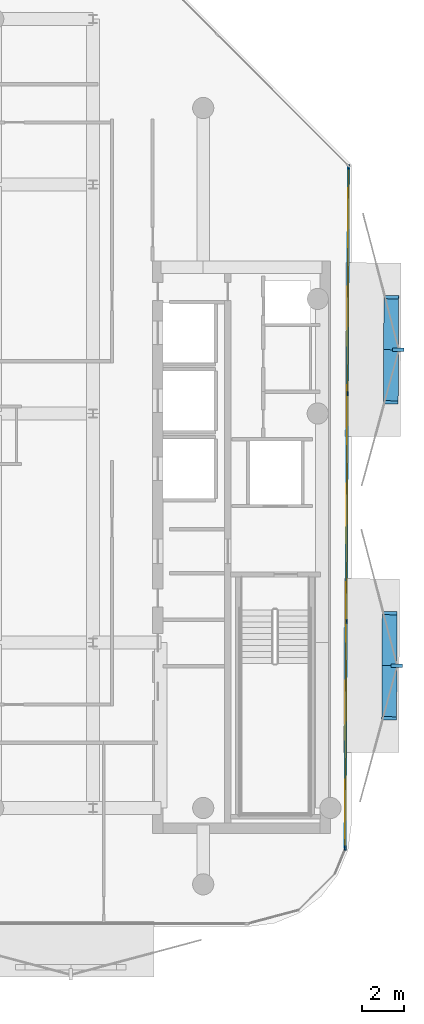
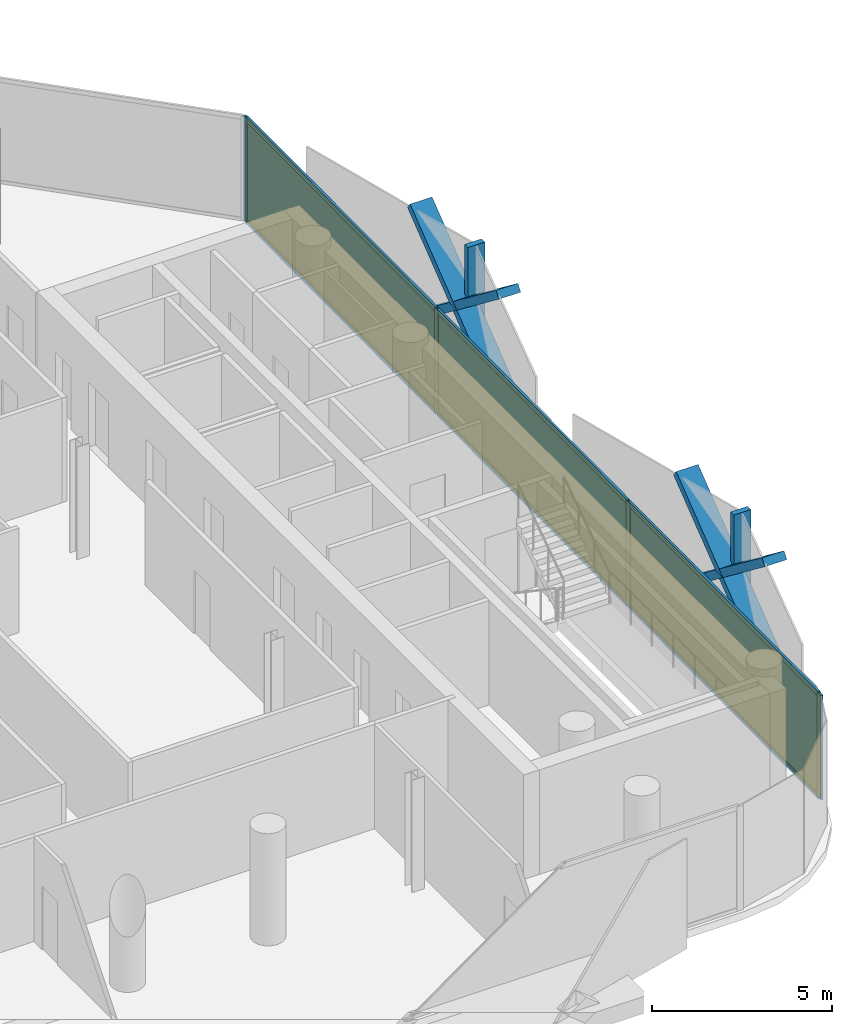
# One storey, part 11 of 16: 16 members, 3 plates, 1 curtain wall.
"""IFC4 building model written with IfcOpenShell, lengths in metres."""

import ifcopenshell
import ifcopenshell.guid

model = None  # the IFC model being written
_history = None  # IfcOwnerHistory: only IFC2X3 demands one
_inside = {}  # id of a spatial element -> (the spatial element, [elements in it])
_under = {}  # id of a project, library or spatial element -> (it, [spatial elements below it])
_declared = {}  # id of a project -> (the project, [libraries it declares])
_typed = {}  # id of a type object -> (the type object, [elements of that type])
_made_of = {}  # id of a material, layer set ... -> (it, [elements and type objects made of it])


def new_model(schema):
    """Start an empty IFC model of exactly this schema.

    Asked for "IFC4X3", IfcOpenShell would pick the latest addendum, in which some entities
    have other attributes; the version numbers below select the first issue.
    IFC2X3 requires an IfcOwnerHistory on every rooted entity: one is made here for all.
    """
    global model, _history
    if schema == "IFC4X3":
        model = ifcopenshell.file(schema_version=(4, 3, 0, 0))
    else:
        model = ifcopenshell.file(schema=schema)
    _inside.clear()
    _under.clear()
    _declared.clear()
    _typed.clear()
    _made_of.clear()
    _history = None
    if model.schema == "IFC2X3":
        org = make("IfcOrganization", Name="unknown")
        user = make(
            "IfcPersonAndOrganization",
            ThePerson=make("IfcPerson", FamilyName="unknown"),
            TheOrganization=org,
        )
        app = make(
            "IfcApplication",
            ApplicationDeveloper=org,
            Version="unknown",
            ApplicationFullName="unknown",
            ApplicationIdentifier="unknown",
        )
        _history = make(
            "IfcOwnerHistory",
            OwningUser=user,
            OwningApplication=app,
            ChangeAction="ADDED",
            CreationDate=0,
        )
    return model


def make(cls, **values):
    """One entity of the class cls with the attributes given. An attribute that is None is left unset."""
    return model.create_entity(
        cls, **{name: value for name, value in values.items() if value is not None}
    )


def rooted(cls, **values):
    """An entity with a GlobalId (a new one), such as an element, a storey or a relation."""
    return make(cls, GlobalId=ifcopenshell.guid.new(), OwnerHistory=_history, **values)


def si_unit(unit_type, name, prefix=None):
    """IfcSIUnit, for example si_unit("LENGTHUNIT", "METRE", prefix="MILLI")."""
    return make("IfcSIUnit", UnitType=unit_type, Prefix=prefix, Name=name)


def assignment(units):
    """IfcUnitAssignment: the units of a project."""
    return None if units is None else make("IfcUnitAssignment", Units=units)


def point(xyz):
    """IfcCartesianPoint."""
    return None if xyz is None else make("IfcCartesianPoint", Coordinates=xyz)


def direction(xyz):
    """IfcDirection."""
    return None if xyz is None else make("IfcDirection", DirectionRatios=xyz)


def frame(location, z_axis=None, x_axis=None):
    """IfcAxis2Placement3D, a coordinate frame: its origin and axes. An axis left out is left unset."""
    return make(
        "IfcAxis2Placement3D",
        Location=point(location),
        Axis=direction(z_axis),
        RefDirection=direction(x_axis),
    )


def frame_2d(location, x_axis=None):
    """IfcAxis2Placement2D, a coordinate frame in the plane: its origin and x axis."""
    return make(
        "IfcAxis2Placement2D", Location=point(location), RefDirection=direction(x_axis)
    )


def origin():
    """The frame at (0, 0, 0) with its axes left unset."""
    return frame((0.0, 0.0, 0.0))


def origin_2d():
    """The frame at (0, 0) in the plane with its x axis left unset."""
    return frame_2d((0.0, 0.0))


def place(relative_to, where):
    """IfcLocalPlacement: puts the frame where relative to a parent placement (None: the world)."""
    return make(
        "IfcLocalPlacement", PlacementRelTo=relative_to, RelativePlacement=where
    )


def context(
    kind, dimensions, precision=None, world=None, true_north=None, identifier=None
):
    """IfcGeometricRepresentationContext, for example the 3D "Model" context."""
    return make(
        "IfcGeometricRepresentationContext",
        ContextIdentifier=identifier,
        ContextType=kind,
        CoordinateSpaceDimension=dimensions,
        Precision=precision,
        WorldCoordinateSystem=world,
        TrueNorth=true_north,
    )


def subcontext(parent, identifier, kind, view, scale=None):
    """IfcGeometricRepresentationSubContext, for example "Body" below "Model"."""
    return make(
        "IfcGeometricRepresentationSubContext",
        ContextIdentifier=identifier,
        ContextType=kind,
        ParentContext=parent,
        TargetScale=scale,
        TargetView=view,
    )


def project(units=None, contexts=None):
    """IfcProject with its units and contexts."""
    return rooted(
        "IfcProject",
        Name="project",
        RepresentationContexts=contexts,
        UnitsInContext=assignment(units),
    )


def spatial(cls, under=None, at=None, **own):
    """A site, building, storey or space (cls), placed at a placement, below another one or the project."""
    s = rooted(cls, ObjectPlacement=at, **own)
    if under is not None:
        _under.setdefault(under.id(), (under, []))[1].append(s)
    return s


def profile(cls, at=None, kind="AREA", **sizes):
    """A parametric profile (cls). Its sizes go by their IFC names, for example OverallWidth=200.0."""
    return make(cls, ProfileType=kind, Position=at, **sizes)


def rectangle(**sizes):
    """IfcRectangleProfileDef."""
    return profile("IfcRectangleProfileDef", **sizes)


def extrude(swept, where, along, depth):
    """IfcExtrudedAreaSolid: the profile swept, set in the frame where, extruded along a direction by depth."""
    return make(
        "IfcExtrudedAreaSolid",
        SweptArea=swept,
        Position=where,
        ExtrudedDirection=direction(along),
        Depth=depth,
    )


def shape(context_of_items, identifier, shape_type, items):
    """IfcShapeRepresentation: the items that make up one representation, for example the "Body"."""
    return make(
        "IfcShapeRepresentation",
        ContextOfItems=context_of_items,
        RepresentationIdentifier=identifier,
        RepresentationType=shape_type,
        Items=items,
    )


def material(Name=None, Category=None):
    """IfcMaterial."""
    return make("IfcMaterial", Name=Name, Category=Category)


def layer(
    of_material, thickness, ventilated=None, Name=None, Category=None, Priority=None
):
    """IfcMaterialLayer: one layer of a wall or slab, of a material (None: an air gap)."""
    return make(
        "IfcMaterialLayer",
        Material=of_material,
        LayerThickness=thickness,
        IsVentilated=ventilated,
        Name=Name,
        Category=Category,
        Priority=Priority,
    )


def layer_set(layers, Name=None):
    """IfcMaterialLayerSet."""
    return make("IfcMaterialLayerSet", MaterialLayers=layers, LayerSetName=Name)


def material_profile(
    of_material, cross_section, Name=None, Category=None, Priority=None
):
    """IfcMaterialProfile: a cross section and its material."""
    return make(
        "IfcMaterialProfile",
        Name=Name,
        Material=of_material,
        Profile=cross_section,
        Priority=Priority,
        Category=Category,
    )


def profile_set(profiles, Name=None, composite=None):
    """IfcMaterialProfileSet."""
    return make(
        "IfcMaterialProfileSet",
        Name=Name,
        MaterialProfiles=profiles,
        CompositeProfile=composite,
    )


def made_of(thing, what):
    """Note that an element or type object is made of a material, layer set ...; save() writes the relation."""
    if what is not None:
        _made_of.setdefault(what.id(), (what, []))[1].append(thing)
    return thing


def type_object(cls, material=None, **own):
    """A type object (cls), such as IfcWallType, which elements share."""
    return made_of(rooted(cls, **own), material)


def element(
    cls,
    number,
    at=None,
    inside=None,
    cuts=None,
    type_object=None,
    material=None,
    context=None,
    identifier="Body",
    shape_type=None,
    held_by="IfcProductDefinitionShape",
    body=None,
    shapes=None,
    **own,
):
    """One element of the class cls, such as IfcWall. Its Tag is "e" and its number.

    at: its placement. inside: the storey or other place that contains it. cuts: it is an
    opening in that element (IfcRelVoidsElement). A single representation is given by context,
    identifier, shape_type and body (its items); several are given by shapes. held_by: the class
    of the entity that holds the representations. save() writes the other relations.
    """
    e = rooted(cls, Tag="e%d" % number, ObjectPlacement=at, **own)
    if body is not None:
        shapes = [shape(context, identifier, shape_type, body)]
    if shapes is not None:
        e.Representation = make(held_by, Representations=shapes)
    if inside is not None:
        _inside.setdefault(inside.id(), (inside, []))[1].append(e)
    if cuts is not None:
        rooted(
            "IfcRelVoidsElement", RelatingBuildingElement=cuts, RelatedOpeningElement=e
        )
    if type_object is not None:
        _typed.setdefault(type_object.id(), (type_object, []))[1].append(e)
    return made_of(e, material)


def aggregate(whole, parts):
    """IfcRelAggregates: a whole, such as a stair, and the parts it consists of."""
    return rooted("IfcRelAggregates", RelatingObject=whole, RelatedObjects=parts)


def save(model, path):
    """Write the relations noted so far, then the file.

    IfcRelAggregates (storeys below a building ...), IfcRelContainedInSpatialStructure (elements
    in a storey), IfcRelDefinesByType, IfcRelAssociatesMaterial and IfcRelDeclares: one each for
    every whole, place, type object, material and project.
    """
    for whole, parts in _under.values():
        aggregate(whole, parts)
    for where, things in _inside.values():
        rooted(
            "IfcRelContainedInSpatialStructure",
            RelatedElements=things,
            RelatingStructure=where,
        )
    for kind, things in _typed.values():
        rooted("IfcRelDefinesByType", RelatedObjects=things, RelatingType=kind)
    for what, things in _made_of.values():
        rooted("IfcRelAssociatesMaterial", RelatedObjects=things, RelatingMaterial=what)
    for by, libraries in _declared.values():
        rooted("IfcRelDeclares", RelatingContext=by, RelatedDefinitions=libraries)
    model.write(path)


model = new_model("IFC4")

# Units and contexts
model_context = context("Model", 3, precision=1e-05, world=origin(), true_north=direction((0.0, 1.0)))
body_context = subcontext(model_context, "Body", "Model", "MODEL_VIEW")
ifc_project = project(units=[si_unit("LENGTHUNIT", "METRE"), si_unit("AREAUNIT", "SQUARE_METRE"), si_unit("VOLUMEUNIT", "CUBIC_METRE"), si_unit("PLANEANGLEUNIT", "RADIAN"), si_unit("MASSUNIT", "GRAM", prefix="KILO")], contexts=[model_context])

# Member
ifc_material_1 = material(Name="Anodised Bronze Aluminium 6063-T6", Category="aluminium")
ifc_material_profile_1 = material_profile(ifc_material_1, rectangle(XDim=0.260009765625, YDim=0.699951171875, at=origin_2d()))
ifc_profile_set_1 = profile_set([ifc_material_profile_1], Name="Anodised Bronze Aluminium 6063-T6")
member_type_1 = type_object("IfcMemberType", Name="Bronze Diamond Solar-Screen Lattice Rib BDL-700", PredefinedType="MULLION", material=ifc_profile_set_1)
site_placement = place(None, origin())
building_placement = place(site_placement, origin())
storey_placement = place(building_placement, frame((0.0, 0.0, 292.800048828125)))
member_1_placement = place(storey_placement, frame((23.268798828125, 5.486083984375, -0.130126953125), z_axis=(-0.004060657205, -0.794131796984, 0.607732013376), x_axis=(-0.008168820396, -0.607690403755, -0.79413200638)))
member_1 = element("IfcMember", 1, at=member_1_placement, type_object=member_type_1, Name="L70 Bronze Diamond Solar Screen Lattice Rib 492A", PredefinedType="MULLION", context=body_context, shape_type="SweptSolid", body=[
    extrude(rectangle(XDim=0.260009765625, YDim=0.699951171875, at=origin_2d()), origin(), (0.0, 0.0, 1.0), 6.2529296875),
])

member_2_placement = place(storey_placement, frame((23.243408203125, 0.5205078125, -0.130126953125), z_axis=(0.004060657205, 0.794131796984, 0.607732013376), x_axis=(0.008168820396, 0.607690403755, -0.79413200638)))
member_2 = element("IfcMember", 2, at=member_2_placement, type_object=member_type_1, Name="L70 Bronze Diamond Solar Screen Lattice Rib 492B", PredefinedType="MULLION", context=body_context, shape_type="SweptSolid", body=[
    extrude(rectangle(XDim=0.260009765625, YDim=0.699951171875, at=origin_2d()), origin(), (0.0, 0.0, 1.0), 6.2529296875),
])

member_3_placement = place(storey_placement, frame((23.193115234375, -9.410888671875, -0.130126953125), z_axis=(-0.004021613058, -0.794131922286, 0.607732109267), x_axis=(-0.008138943559, -0.607690900533, -0.794131932998)))
member_3 = element("IfcMember", 3, at=member_3_placement, type_object=member_type_1, Name="L70 Bronze Diamond Solar Screen Lattice Rib 493A", PredefinedType="MULLION", context=body_context, shape_type="SweptSolid", body=[
    extrude(rectangle(XDim=0.260009765625, YDim=0.699951171875, at=origin_2d()), origin(), (0.0, 0.0, 1.0), 6.2529296875),
])

member_4_placement = place(storey_placement, frame((23.16796875, -14.37646484375, -0.130126953125), z_axis=(0.004021613058, 0.794131922286, 0.607732109267), x_axis=(0.008138943559, 0.607690900533, -0.794131932998)))
member_4 = element("IfcMember", 4, at=member_4_placement, type_object=member_type_1, Name="L70 Bronze Diamond Solar Screen Lattice Rib 493B", PredefinedType="MULLION", context=body_context, shape_type="SweptSolid", body=[
    extrude(rectangle(XDim=0.260009765625, YDim=0.699951171875, at=origin_2d()), origin(), (0.0, 0.0, 1.0), 6.2529296875),
])

ifc_material_2 = material(Name="Anodised Bronze Aluminium 6063-T6", Category="aluminium")
ifc_material_profile_2 = material_profile(ifc_material_2, rectangle(XDim=0.179931640625, YDim=0.5400390625, at=origin_2d()))
ifc_profile_set_2 = profile_set([ifc_material_profile_2], Name="Anodised Bronze Aluminium 6063-T6")
member_type_2 = type_object("IfcMemberType", Name="Bronze Solar-Screen Vertical Fold Fin BSF-540", PredefinedType="MULLION", material=ifc_profile_set_2)
member_5_placement = place(storey_placement, frame((23.59619140625, 3.00146484375, -0.130126953125), z_axis=(0.0, 0.0, 1.0), x_axis=(-0.00506143322, -0.999987190865, 0.0)))
member_5 = element("IfcMember", 5, at=member_5_placement, type_object=member_type_2, Name="L70 Bronze Solar Screen Vertical Fin 492", PredefinedType="MULLION", context=body_context, shape_type="SweptSolid", body=[
    extrude(rectangle(XDim=0.179931640625, YDim=0.5400390625, at=origin_2d()), origin(), (0.0, 0.0, 1.0), 3.800048828125),
])

member_6_placement = place(storey_placement, frame((23.5205078125, -11.8955078125, -0.130126953125), z_axis=(0.0, 0.0, 1.0), x_axis=(-0.00506143322, -0.999987190865, 0.0)))
member_6 = element("IfcMember", 6, at=member_6_placement, type_object=member_type_2, Name="L70 Bronze Solar Screen Vertical Fin 493", PredefinedType="MULLION", context=body_context, shape_type="SweptSolid", body=[
    extrude(rectangle(XDim=0.179931640625, YDim=0.5400390625, at=origin_2d()), origin(), (0.0, 0.0, 1.0), 3.800048828125),
])

ifc_material_3 = material(Name="Anodised Bronze Aluminium 6063-T6", Category="aluminium")
ifc_material_profile_3 = material_profile(ifc_material_3, rectangle(XDim=0.074951171875, YDim=0.2099609375, at=origin_2d()))
ifc_profile_set_3 = profile_set([ifc_material_profile_3], Name="Anodised Bronze Aluminium 6063-T6")
member_type_3 = type_object("IfcMemberType", Name="CW-CRN Mullion 75x210", PredefinedType="MULLION", material=ifc_profile_set_3)
member_7_placement = place(storey_placement, frame((21.259765625, 11.62451171875, 0.0), z_axis=(0.0, 0.0, 1.0), x_axis=(0.999987119761, -0.005075461822, 0.0)))
member_7 = element("IfcMember", 7, at=member_7_placement, type_object=member_type_3, Name="CW-CRN mullion 1", PredefinedType="MULLION", context=body_context, shape_type="SweptSolid", body=[
    extrude(rectangle(XDim=0.074951171875, YDim=0.2099609375, at=origin_2d()), origin(), (0.0, 0.0, 1.0), 3.5400390625),
])

member_8_placement = place(storey_placement, frame((21.20556640625, 0.9306640625, 0.0), z_axis=(0.0, 0.0, 1.0), x_axis=(0.999987119761, -0.005075461822, 0.0)))
member_8 = element("IfcMember", 8, at=member_8_placement, type_object=member_type_3, Name="CW-CRN mullion 2", PredefinedType="MULLION", context=body_context, shape_type="SweptSolid", body=[
    extrude(rectangle(XDim=0.074951171875, YDim=0.2099609375, at=origin_2d()), origin(), (0.0, 0.0, 1.0), 3.5400390625),
])

member_9_placement = place(storey_placement, frame((21.151123046875, -9.800537109375, 0.0), z_axis=(0.0, 0.0, 1.0), x_axis=(0.999987119761, -0.005075461822, 0.0)))
member_9 = element("IfcMember", 9, at=member_9_placement, type_object=member_type_3, Name="CW-CRN mullion 3", PredefinedType="MULLION", context=body_context, shape_type="SweptSolid", body=[
    extrude(rectangle(XDim=0.074951171875, YDim=0.2099609375, at=origin_2d()), origin(), (0.0, 0.0, 1.0), 3.5400390625),
])

member_10_placement = place(storey_placement, frame((21.0966796875, -20.494140625, 0.0), z_axis=(0.0, 0.0, 1.0), x_axis=(0.999987119761, -0.005075461822, 0.0)))
member_10 = element("IfcMember", 10, at=member_10_placement, type_object=member_type_3, Name="CW-CRN mullion 4", PredefinedType="MULLION", context=body_context, shape_type="SweptSolid", body=[
    extrude(rectangle(XDim=0.074951171875, YDim=0.2099609375, at=origin_2d()), origin(), (0.0, 0.0, 1.0), 3.5400390625),
])

ifc_material_4 = material(Name="Anodised Bronze Aluminium 6063-T6", Category="aluminium")
ifc_material_profile_4 = material_profile(ifc_material_4, rectangle(XDim=0.074951171875, YDim=0.1650390625, at=origin_2d()))
ifc_profile_set_4 = profile_set([ifc_material_profile_4], Name="Anodised Bronze Aluminium 6063-T6")
member_type_4 = type_object("IfcMemberType", Name="CW-CRN Transom 75x165", PredefinedType="USERDEFINED", material=ifc_profile_set_4)
member_11_placement = place(storey_placement, frame((21.259521484375, 11.5869140625, 0.037353515625), z_axis=(-0.005058104237, -0.999987207709, 0.0), x_axis=(0.999987207709, -0.005058104237, 0.0)))
member_11 = element("IfcMember", 11, at=member_11_placement, type_object=member_type_4, Name="CW-CRN transom 1.1", ObjectType="TRANSOM", PredefinedType="USERDEFINED", context=body_context, shape_type="SweptSolid", body=[
    extrude(rectangle(XDim=0.074951171875, YDim=0.1650390625, at=origin_2d()), origin(), (0.0, 0.0, 1.0), 10.618896484375),
])

member_12_placement = place(storey_placement, frame((21.259521484375, 11.5869140625, 3.50244140625), z_axis=(-0.005058104237, -0.999987207709, 0.0), x_axis=(0.999987207709, -0.005058104237, 0.0)))
member_12 = element("IfcMember", 12, at=member_12_placement, type_object=member_type_4, Name="CW-CRN transom 1.2", ObjectType="TRANSOM", PredefinedType="USERDEFINED", context=body_context, shape_type="SweptSolid", body=[
    extrude(rectangle(XDim=0.074951171875, YDim=0.1650390625, at=origin_2d()), origin(), (0.0, 0.0, 1.0), 10.618896484375),
])

member_13_placement = place(storey_placement, frame((21.205322265625, 0.893310546875, 0.037353515625), z_axis=(-0.005063168238, -0.999987182082, 0.0), x_axis=(0.999987182082, -0.005063168238, 0.0)))
member_13 = element("IfcMember", 13, at=member_13_placement, type_object=member_type_4, Name="CW-CRN transom 2.1", ObjectType="TRANSOM", PredefinedType="USERDEFINED", context=body_context, shape_type="SweptSolid", body=[
    extrude(rectangle(XDim=0.074951171875, YDim=0.1650390625, at=origin_2d()), origin(), (0.0, 0.0, 1.0), 10.656494140625),
])

member_14_placement = place(storey_placement, frame((21.205322265625, 0.893310546875, 3.50244140625), z_axis=(-0.005063168238, -0.999987182082, 0.0), x_axis=(0.999987182082, -0.005063168238, 0.0)))
member_14 = element("IfcMember", 14, at=member_14_placement, type_object=member_type_4, Name="CW-CRN transom 2.2", ObjectType="TRANSOM", PredefinedType="USERDEFINED", context=body_context, shape_type="SweptSolid", body=[
    extrude(rectangle(XDim=0.074951171875, YDim=0.1650390625, at=origin_2d()), origin(), (0.0, 0.0, 1.0), 10.656494140625),
])

member_15_placement = place(storey_placement, frame((21.15087890625, -9.837890625, 0.037353515625), z_axis=(-0.005080978211, -0.999987091747, 0.0), x_axis=(0.999987091747, -0.005080978211, 0.0)))
member_15 = element("IfcMember", 15, at=member_15_placement, type_object=member_type_4, Name="CW-CRN transom 3.1", ObjectType="TRANSOM", PredefinedType="USERDEFINED", context=body_context, shape_type="SweptSolid", body=[
    extrude(rectangle(XDim=0.074951171875, YDim=0.1650390625, at=origin_2d()), origin(), (0.0, 0.0, 1.0), 10.619140625),
])

member_16_placement = place(storey_placement, frame((21.15087890625, -9.837890625, 3.50244140625), z_axis=(-0.005080978211, -0.999987091747, 0.0), x_axis=(0.999987091747, -0.005080978211, 0.0)))
member_16 = element("IfcMember", 16, at=member_16_placement, type_object=member_type_4, Name="CW-CRN transom 3.2", ObjectType="TRANSOM", PredefinedType="USERDEFINED", context=body_context, shape_type="SweptSolid", body=[
    extrude(rectangle(XDim=0.074951171875, YDim=0.1650390625, at=origin_2d()), origin(), (0.0, 0.0, 1.0), 10.619140625),
])

# Plate
ifc_material_5 = material(Name="Low-E Solar Control Laminated Glass", Category="glass")
ifc_layer_1 = layer(ifc_material_5, 0.035888671875, Name="Low-E Solar Control Laminated Glass")
ifc_layer_set_1 = layer_set([ifc_layer_1], Name="Low-E Solar Control Laminated Glass")
plate_type = type_object("IfcPlateType", Name="CW-CRN Low-E Double Glazed Panel 36mm", PredefinedType="CURTAIN_PANEL", material=ifc_layer_set_1)
plate_1_placement = place(storey_placement, frame((21.232666015625, 6.277587890625, 0.0751953125), z_axis=(0.0, 0.0, 1.0), x_axis=(-0.005075461822, -0.999987119761, 0.0)))
plate_1 = element("IfcPlate", 17, at=plate_1_placement, type_object=plate_type, Name="CW-CRN panel 1.1", PredefinedType="CURTAIN_PANEL", context=body_context, shape_type="SweptSolid", body=[
    extrude(rectangle(XDim=10.618896484375, YDim=0.035888671875, at=origin_2d()), origin(), (0.0, 0.0, 1.0), 3.389892578125),
])

plate_2_placement = place(storey_placement, frame((21.17822265625, -4.434814453125, 0.0751953125), z_axis=(0.0, 0.0, 1.0), x_axis=(-0.005075461822, -0.999987119761, 0.0)))
plate_2 = element("IfcPlate", 18, at=plate_2_placement, type_object=plate_type, Name="CW-CRN panel 2.1", PredefinedType="CURTAIN_PANEL", context=body_context, shape_type="SweptSolid", body=[
    extrude(rectangle(XDim=10.65625, YDim=0.035888671875, at=origin_2d()), origin(), (0.0, 0.0, 1.0), 3.389892578125),
])

plate_3_placement = place(storey_placement, frame((21.1240234375, -15.147216796875, 0.0751953125), z_axis=(0.0, 0.0, 1.0), x_axis=(-0.005075461822, -0.999987119761, 0.0)))
plate_3 = element("IfcPlate", 19, at=plate_3_placement, type_object=plate_type, Name="CW-CRN panel 3.1", PredefinedType="CURTAIN_PANEL", context=body_context, shape_type="SweptSolid", body=[
    extrude(rectangle(XDim=10.618896484375, YDim=0.035888671875, at=origin_2d()), origin(), (0.0, 0.0, 1.0), 3.389892578125),
])

# Site, building, storey
site = spatial("IfcSite", under=ifc_project, at=site_placement, CompositionType="ELEMENT")
building = spatial("IfcBuilding", under=site, at=building_placement, Name="Khairoan Windgate Tower", CompositionType="ELEMENT")
storey = spatial("IfcBuildingStorey", under=building, at=storey_placement, Name="L70", CompositionType="ELEMENT", Elevation=292.800048828125)

# Curtain wall
ifc_material_6 = material(Name="Anodised Bronze Aluminium 6063-T6", Category="aluminium")
ifc_layer_2 = layer(ifc_material_6, 0.2099609375, Name="Anodised Bronze Aluminium 6063-T6")
ifc_layer_set_2 = layer_set([ifc_layer_2], Name="Anodised Bronze Aluminium 6063-T6")
curtain_wall_type = type_object("IfcCurtainWallType", Name="Crown Observation and Vitrine Curtain Wall CW-CRN", PredefinedType="NOTDEFINED", material=ifc_layer_set_2)
curtain_wall_placement = place(storey_placement, frame((21.260009765625, 11.662109375, 0.0), z_axis=(0.0, 0.0, 1.0), x_axis=(-0.00507326673, -0.9999871309, 0.0)))
curtain_wall = element("IfcCurtainWall", 20, at=curtain_wall_placement, inside=storey, type_object=curtain_wall_type, Name="L70 Unitised Curtain Wall 9", PredefinedType="NOTDEFINED", context=body_context, shape_type="SweptSolid", body=[
    extrude(rectangle(XDim=32.1943359375, YDim=0.010009765625, at=frame_2d((16.09716796875, 0.0))), origin(), (0.0, 0.0, 1.0), 3.5400390625),
])

aggregate(curtain_wall, [member_7, member_8, member_9, member_10, member_11, member_12, plate_1, member_13, member_14, plate_2, member_15, member_16, plate_3, member_1, member_2, member_5, member_3, member_4, member_6])

save(model, "model.ifc")
